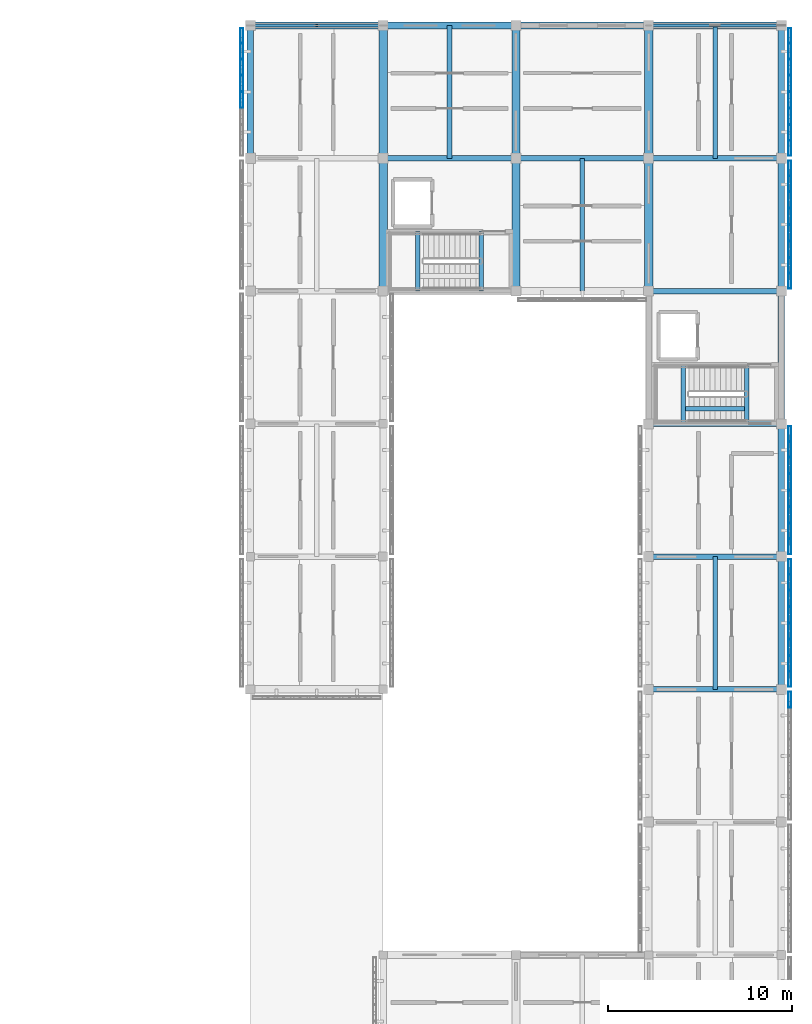
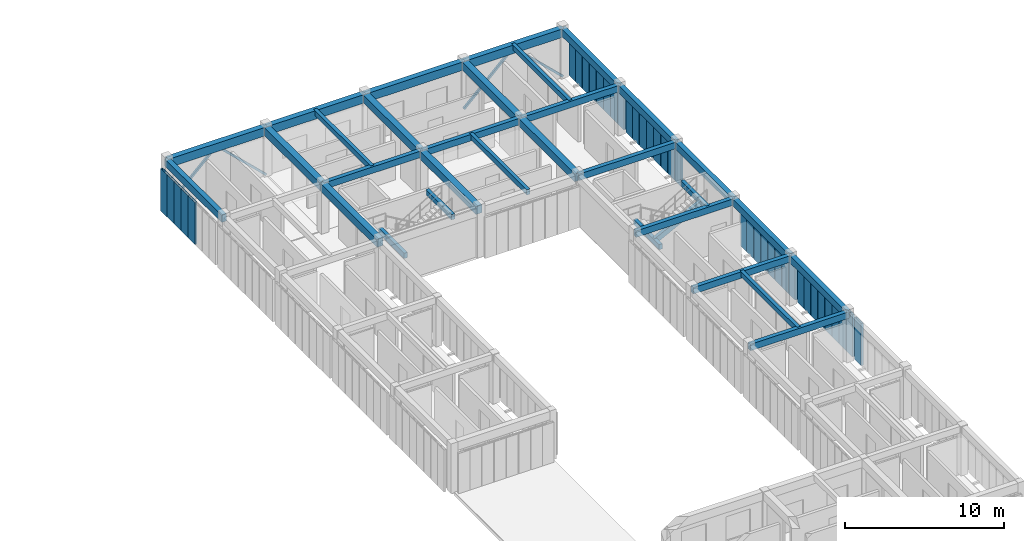
# One storey, part 12 of 67: 42 members, 32 beams, 6 elements without a shape of their own.
"""IFC4 building model written with IfcOpenShell, lengths in metres."""

from ifc_helpers import new_model, si_unit, direction, frame, origin, origin_2d, place, context, subcontext, project, spatial, rectangle, hollow_rectangle, extrude, material, material_profile, profile_set, type_object, element, aggregate, save


model = new_model("IFC4")

# Units and contexts
model_context = context("Model", 3, precision=1e-05, world=origin(), true_north=direction((0.0, 1.0)))
body_context = subcontext(model_context, "Body", "Model", "MODEL_VIEW")
ifc_project = project(units=[si_unit("LENGTHUNIT", "METRE"), si_unit("AREAUNIT", "SQUARE_METRE"), si_unit("VOLUMEUNIT", "CUBIC_METRE"), si_unit("PLANEANGLEUNIT", "RADIAN"), si_unit("MASSUNIT", "GRAM", prefix="KILO")], contexts=[model_context])

# Site, building, storey
site_placement = place(None, origin())
site = spatial("IfcSite", under=ifc_project, at=site_placement, CompositionType="ELEMENT")
building_placement = place(site_placement, origin())
building = spatial("IfcBuilding", under=site, at=building_placement, Name="Aldebral Square Health Centre", CompositionType="ELEMENT")
storey_placement = place(building_placement, frame((0.0, 0.0, 13.5)))
storey = spatial("IfcBuildingStorey", under=building, at=storey_placement, Name="L03", CompositionType="ELEMENT", Elevation=13.5)

# Beams
ifc_material_1 = material(Name="Concrete C40/50", Category="concrete")
ifc_material_profile_1 = material_profile(ifc_material_1, rectangle(XDim=0.39990234375, YDim=0.64990234375, at=origin_2d()), Name="RC 400x650")
ifc_profile_set_1 = profile_set([ifc_material_profile_1], Name="Concrete C40/50")
beam_type_1 = type_object("IfcBeamType", Name="BM-B1", PredefinedType="BEAM", material=ifc_profile_set_1)
for number, where, z_axis, x_axis, name in (
    (1, (136.800048828125, 115.199951171875, 3.465087890625), (1.0, 0.0, 0.0), (0.0, 1.0, 0.0), "L03 X-beam 20-21/G17"),
    (2, (144.0, 115.199951171875, 3.465087890625), (1.0, 0.0, 0.0), (0.0, 1.0, 0.0), "L03 X-beam 21-22/G17"),
    (3, (151.199951171875, 115.199951171875, 3.465087890625), (1.0, 0.0, 0.0), (0.0, 1.0, 0.0), "L03 X-beam 22-23/G17"),
):
    element("IfcBeam", number, at=place(storey_placement, frame(where, z_axis=z_axis, x_axis=x_axis)), inside=storey, type_object=beam_type_1, Name=name, PredefinedType="BEAM", context=body_context, shape_type="SweptSolid", body=[
        extrude(rectangle(XDim=0.39990234375, YDim=0.64990234375, at=origin_2d()), origin(), (0.0, 0.0, 1.0), 7.199951171875),
    ])
beam_1_placement = place(storey_placement, frame((158.39990234375, 115.199951171875, 3.465087890625), z_axis=(1.0, 0.0, 0.0), x_axis=(0.0, 1.0, 0.0)))
element("IfcBeam", 4, at=beam_1_placement, inside=storey, type_object=beam_type_1, Name="L03 X-beam 23-24/G17", PredefinedType="BEAM", context=body_context, shape_type="SweptSolid", body=[
    extrude(rectangle(XDim=0.39990234375, YDim=0.64990234375, at=origin_2d()), origin(), (0.0, 0.0, 1.0), 7.2001953125),
])
ifc_material_profile_2 = material_profile(ifc_material_1, rectangle(XDim=0.35009765625, YDim=0.550048828125, at=origin_2d()), Name="RC 350x550")
ifc_profile_set_2 = profile_set([ifc_material_profile_2], Name="Concrete C40/50")
beam_type_2 = type_object("IfcBeamType", Name="BM-B3", PredefinedType="BEAM", material=ifc_profile_set_2)
for number, where, z_axis, x_axis, name in (
    (5, (136.800048828125, 108.0, 3.514892578125), (0.0, 1.0, 0.0), (-1.0, 0.0, 0.0), "L03 Y-beam G20/16-17"),
    (6, (165.60009765625, 79.199951171875, 3.514892578125), (0.0, 1.0, 0.0), (-1.0, 0.0, 0.0), "L03 Y-beam G24/12-13"),
):
    element("IfcBeam", number, at=place(storey_placement, frame(where, z_axis=z_axis, x_axis=x_axis)), inside=storey, type_object=beam_type_2, Name=name, PredefinedType="BEAM", context=body_context, shape_type="SweptSolid", body=[
        extrude(rectangle(XDim=0.35009765625, YDim=0.550048828125, at=origin_2d()), origin(), (0.0, 0.0, 1.0), 7.199951171875),
    ])
beam_2_placement = place(storey_placement, frame((165.60009765625, 86.39990234375, 3.514892578125), z_axis=(0.0, 1.0, 0.0), x_axis=(-1.0, 0.0, 0.0)))
element("IfcBeam", 7, at=beam_2_placement, inside=storey, type_object=beam_type_2, Name="L03 Y-beam G24/13-14", PredefinedType="BEAM", context=body_context, shape_type="SweptSolid", body=[
    extrude(rectangle(XDim=0.35009765625, YDim=0.550048828125, at=origin_2d()), origin(), (0.0, 0.0, 1.0), 7.2001953125),
])
for number, where, z_axis, x_axis, name in (
    (8, (165.60009765625, 93.60009765625, 3.514892578125), (0.0, 1.0, 0.0), (-1.0, 0.0, 0.0), "L03 Y-beam G24/14-15"),
    (9, (165.60009765625, 100.800048828125, 3.514892578125), (0.0, 1.0, 0.0), (-1.0, 0.0, 0.0), "L03 Y-beam G24/15-16"),
    (10, (165.60009765625, 108.0, 3.514892578125), (0.0, 1.0, 0.0), (-1.0, 0.0, 0.0), "L03 Y-beam G24/16-17"),
):
    element("IfcBeam", number, at=place(storey_placement, frame(where, z_axis=z_axis, x_axis=x_axis)), inside=storey, type_object=beam_type_2, Name=name, PredefinedType="BEAM", context=body_context, shape_type="SweptSolid", body=[
        extrude(rectangle(XDim=0.35009765625, YDim=0.550048828125, at=origin_2d()), origin(), (0.0, 0.0, 1.0), 7.199951171875),
    ])
ifc_material_profile_3 = material_profile(ifc_material_1, rectangle(XDim=0.300048828125, YDim=0.5, at=origin_2d()), Name="RC 300x500")
ifc_profile_set_3 = profile_set([ifc_material_profile_3], Name="Concrete C40/50")
beam_type_3 = type_object("IfcBeamType", Name="BM-B4", PredefinedType="BEAM", material=ifc_profile_set_3)
for number, where, z_axis, x_axis, name in (
    (11, (144.0, 108.0, 3.5400390625), (1.0, 0.0, 0.0), (0.0, 1.0, 0.0), "L03 X-beam 21-22/G16"),
    (12, (151.199951171875, 108.0, 3.5400390625), (1.0, 0.0, 0.0), (0.0, 1.0, 0.0), "L03 X-beam 22-23/G16"),
):
    element("IfcBeam", number, at=place(storey_placement, frame(where, z_axis=z_axis, x_axis=x_axis)), inside=storey, type_object=beam_type_3, Name=name, PredefinedType="BEAM", context=body_context, shape_type="SweptSolid", body=[
        extrude(rectangle(XDim=0.300048828125, YDim=0.5, at=origin_2d()), origin(), (0.0, 0.0, 1.0), 7.199951171875),
    ])
for number, where, z_axis, x_axis, name in (
    (13, (158.39990234375, 79.199951171875, 3.5400390625), (1.0, 0.0, 0.0), (0.0, 1.0, 0.0), "L03 X-beam 23-24/G12"),
    (14, (158.39990234375, 86.39990234375, 3.5400390625), (1.0, 0.0, 0.0), (0.0, 1.0, 0.0), "L03 X-beam 23-24/G13"),
    (15, (158.39990234375, 93.60009765625, 3.5400390625), (1.0, 0.0, 0.0), (0.0, 1.0, 0.0), "L03 X-beam 23-24/G14"),
    (16, (158.39990234375, 100.800048828125, 3.5400390625), (1.0, 0.0, 0.0), (0.0, 1.0, 0.0), "L03 X-beam 23-24/G15"),
    (17, (158.39990234375, 108.0, 3.5400390625), (1.0, 0.0, 0.0), (0.0, 1.0, 0.0), "L03 X-beam 23-24/G16"),
):
    element("IfcBeam", number, at=place(storey_placement, frame(where, z_axis=z_axis, x_axis=x_axis)), inside=storey, type_object=beam_type_3, Name=name, PredefinedType="BEAM", context=body_context, shape_type="SweptSolid", body=[
        extrude(rectangle(XDim=0.300048828125, YDim=0.5, at=origin_2d()), origin(), (0.0, 0.0, 1.0), 7.2001953125),
    ])
ifc_material_profile_4 = material_profile(ifc_material_1, rectangle(XDim=0.25, YDim=0.39990234375, at=origin_2d()), Name="RC 250x400")
ifc_profile_set_4 = profile_set([ifc_material_profile_4], Name="Concrete C40/50")
beam_type_4 = type_object("IfcBeamType", Name="BM-B6", PredefinedType="JOIST", material=ifc_profile_set_4)
for number, where, z_axis, x_axis, name in (
    (18, (147.60009765625, 108.0, 3.590087890625), (0.0, 1.0, 0.0), (-1.0, 0.0, 0.0), "L03 secondary rib 21.16"),
    (19, (154.800048828125, 100.800048828125, 3.590087890625), (0.0, 1.0, 0.0), (-1.0, 0.0, 0.0), "L03 secondary rib 22.15"),
    (20, (162.0, 79.199951171875, 3.590087890625), (0.0, 1.0, 0.0), (-1.0, 0.0, 0.0), "L03 secondary rib 23.12"),
    (21, (162.0, 108.0, 3.590087890625), (0.0, 1.0, 0.0), (-1.0, 0.0, 0.0), "L03 secondary rib 23.16"),
):
    element("IfcBeam", number, at=place(storey_placement, frame(where, z_axis=z_axis, x_axis=x_axis)), inside=storey, type_object=beam_type_4, Name=name, PredefinedType="JOIST", context=body_context, shape_type="SweptSolid", body=[
        extrude(rectangle(XDim=0.25, YDim=0.39990234375, at=origin_2d()), origin(), (0.0, 0.0, 1.0), 7.199951171875),
    ])
for number, where, z_axis, x_axis, name in (
    (22, (160.280029296875, 93.610107421875, 1.824951171875), (0.0, 1.0, 0.0), (-1.0, 0.0, 0.0), "L03 WC-C3 half-landing beam"),
    (23, (163.719970703125, 93.610107421875, 3.590087890625), (0.0, 1.0, 0.0), (-1.0, 0.0, 0.0), "L03 WC-C3 upper landing beam"),
):
    element("IfcBeam", number, at=place(storey_placement, frame(where, z_axis=z_axis, x_axis=x_axis)), inside=storey, type_object=beam_type_4, Name=name, PredefinedType="JOIST", context=body_context, shape_type="SweptSolid", body=[
        extrude(rectangle(XDim=0.25, YDim=0.39990234375, at=origin_2d()), origin(), (0.0, 0.0, 1.0), 3.219970703125),
    ])
beam_3_placement = place(storey_placement, frame((160.280029296875, 94.419921875, 1.824951171875), z_axis=(0.889705675989, 0.0, 0.456534566175), x_axis=(0.0, 1.0, 0.0)))
element("IfcBeam", 24, at=beam_3_placement, inside=storey, type_object=beam_type_4, Name="L03 WC-C3 flight stringer beam", PredefinedType="JOIST", context=body_context, shape_type="SweptSolid", body=[
    extrude(rectangle(XDim=0.25, YDim=0.39990234375, at=origin_2d()), origin(), (0.0, 0.0, 1.0), 3.866455078125),
])
for number, where, z_axis, x_axis, name in (
    (25, (145.8798828125, 100.81005859375, 1.824951171875), (0.0, 1.0, 0.0), (-1.0, 0.0, 0.0), "L03 WC-C4 half-landing beam"),
    (26, (149.320068359375, 100.81005859375, 3.590087890625), (0.0, 1.0, 0.0), (-1.0, 0.0, 0.0), "L03 WC-C4 upper landing beam"),
):
    element("IfcBeam", number, at=place(storey_placement, frame(where, z_axis=z_axis, x_axis=x_axis)), inside=storey, type_object=beam_type_4, Name=name, PredefinedType="JOIST", context=body_context, shape_type="SweptSolid", body=[
        extrude(rectangle(XDim=0.25, YDim=0.39990234375, at=origin_2d()), origin(), (0.0, 0.0, 1.0), 3.219970703125),
    ])
ifc_material_profile_5 = material_profile(ifc_material_1, rectangle(XDim=0.449951171875, YDim=0.60009765625, at=origin_2d()), Name="RC 450x600")
ifc_profile_set_5 = profile_set([ifc_material_profile_5], Name="Concrete C40/50")
beam_type_5 = type_object("IfcBeamType", Name="BM-LN1", PredefinedType="LINTEL", material=ifc_profile_set_5)
for number, where, z_axis, x_axis, name in (
    (27, (144.0, 100.800048828125, 3.489990234375), (0.0, 1.0, 0.0), (-1.0, 0.0, 0.0), "L03 Y-beam G21/15-16"),
    (28, (144.0, 108.0, 3.489990234375), (0.0, 1.0, 0.0), (-1.0, 0.0, 0.0), "L03 Y-beam G21/16-17"),
    (29, (151.199951171875, 100.800048828125, 3.489990234375), (0.0, 1.0, 0.0), (-1.0, 0.0, 0.0), "L03 Y-beam G22/15-16"),
    (30, (151.199951171875, 108.0, 3.489990234375), (0.0, 1.0, 0.0), (-1.0, 0.0, 0.0), "L03 Y-beam G22/16-17"),
    (31, (158.39990234375, 100.800048828125, 3.489990234375), (0.0, 1.0, 0.0), (-1.0, 0.0, 0.0), "L03 Y-beam G23/15-16"),
    (32, (158.39990234375, 108.0, 3.489990234375), (0.0, 1.0, 0.0), (-1.0, 0.0, 0.0), "L03 Y-beam G23/16-17"),
):
    element("IfcBeam", number, at=place(storey_placement, frame(where, z_axis=z_axis, x_axis=x_axis)), inside=storey, type_object=beam_type_5, Name=name, PredefinedType="LINTEL", context=body_context, shape_type="SweptSolid", body=[
        extrude(rectangle(XDim=0.449951171875, YDim=0.60009765625, at=origin_2d()), origin(), (0.0, 0.0, 1.0), 7.199951171875),
    ])

# Curtain wall, members
ifc_material_2 = material(Name="Aluminium and low-E solar glass", Category="aluminium")
curtain_wall_type = type_object("IfcCurtainWallType", Name="CW-FIN-SYS", PredefinedType="USERDEFINED", material=ifc_material_2)
curtain_wall_1_placement = place(storey_placement, origin())
curtain_wall_1 = element("IfcCurtainWall", 33, at=curtain_wall_1_placement, inside=storey, type_object=curtain_wall_type, Name="L03 V5 finned curtain wall L03-V5-19-15-W", ObjectType="SOLAR_CURTAIN_WALL", PredefinedType="USERDEFINED")
ifc_material_3 = material(Name="Sienna-terracotta clad aluminium fin", Category="masonry")
ifc_material_profile_6 = material_profile(ifc_material_3, hollow_rectangle(XDim=0.159912109375, YDim=0.85009765625, WallThickness=0.006103515625, at=origin_2d()), Name="FIN 160x850x6")
ifc_profile_set_6 = profile_set([ifc_material_profile_6], Name="Sienna-terracotta clad aluminium fin")
member_type_1 = type_object("IfcMemberType", Name="CWM-FIN", PredefinedType="MULLION", material=ifc_profile_set_6)
member_1_placement = place(storey_placement, frame((136.340087890625, 114.639892578125, 0.0), z_axis=(0.0, 0.0, 1.0), x_axis=(1.0, 0.0, 0.0)))
member_1 = element("IfcMember", 34, at=member_1_placement, type_object=member_type_1, Name="CW1 mullion 1", PredefinedType="MULLION", context=body_context, shape_type="SweptSolid", body=[
    extrude(hollow_rectangle(XDim=0.159912109375, YDim=0.85009765625, WallThickness=0.006103515625, at=origin_2d()), origin(), (0.0, 0.0, 1.0), 3.239990234375),
])
member_2_placement = place(storey_placement, frame((136.340087890625, 113.82861328125, 0.0), z_axis=(0.0, 0.0, 1.0), x_axis=(1.0, 0.0, 0.0)))
member_2 = element("IfcMember", 35, at=member_2_placement, type_object=member_type_1, Name="CW1 mullion 2", PredefinedType="MULLION", context=body_context, shape_type="SweptSolid", body=[
    extrude(hollow_rectangle(XDim=0.159912109375, YDim=0.85009765625, WallThickness=0.006103515625, at=origin_2d()), origin(), (0.0, 0.0, 1.0), 3.239990234375),
])
member_3_placement = place(storey_placement, frame((136.340087890625, 112.937255859375, 0.0), z_axis=(0.0, 0.0, 1.0), x_axis=(1.0, 0.0, 0.0)))
member_3 = element("IfcMember", 36, at=member_3_placement, type_object=member_type_1, Name="CW1 mullion 3", PredefinedType="MULLION", context=body_context, shape_type="SweptSolid", body=[
    extrude(hollow_rectangle(XDim=0.159912109375, YDim=0.85009765625, WallThickness=0.006103515625, at=origin_2d()), origin(), (0.0, 0.0, 1.0), 3.239990234375),
])
member_4_placement = place(storey_placement, frame((136.340087890625, 112.045654296875, 0.0), z_axis=(0.0, 0.0, 1.0), x_axis=(1.0, 0.0, 0.0)))
member_4 = element("IfcMember", 37, at=member_4_placement, type_object=member_type_1, Name="CW1 mullion 4", PredefinedType="MULLION", context=body_context, shape_type="SweptSolid", body=[
    extrude(hollow_rectangle(XDim=0.159912109375, YDim=0.85009765625, WallThickness=0.006103515625, at=origin_2d()), origin(), (0.0, 0.0, 1.0), 3.239990234375),
])
member_5_placement = place(storey_placement, frame((136.340087890625, 111.154296875, 0.0), z_axis=(0.0, 0.0, 1.0), x_axis=(1.0, 0.0, 0.0)))
member_5 = element("IfcMember", 38, at=member_5_placement, type_object=member_type_1, Name="CW1 mullion 5", PredefinedType="MULLION", context=body_context, shape_type="SweptSolid", body=[
    extrude(hollow_rectangle(XDim=0.159912109375, YDim=0.85009765625, WallThickness=0.006103515625, at=origin_2d()), origin(), (0.0, 0.0, 1.0), 3.239990234375),
])
aggregate(curtain_wall_1, [member_1, member_2, member_3, member_4, member_5])

# Curtain wall, member
curtain_wall_2_placement = place(storey_placement, origin())
curtain_wall_2 = element("IfcCurtainWall", 39, at=curtain_wall_2_placement, inside=storey, type_object=curtain_wall_type, Name="L03 V5 finned curtain wall L03-V5-22-10-E", ObjectType="SOLAR_CURTAIN_WALL", PredefinedType="USERDEFINED")
member_6_placement = place(storey_placement, frame((166.06005859375, 78.639892578125, 0.0), z_axis=(0.0, 0.0, 1.0), x_axis=(-1.0, 0.0, 0.0)))
member_6 = element("IfcMember", 40, at=member_6_placement, type_object=member_type_1, Name="CW1 mullion 8", PredefinedType="MULLION", context=body_context, shape_type="SweptSolid", body=[
    extrude(hollow_rectangle(XDim=0.159912109375, YDim=0.85009765625, WallThickness=0.006103515625, at=origin_2d()), origin(), (0.0, 0.0, 1.0), 3.239990234375),
])
aggregate(curtain_wall_2, [member_6])

# Curtain wall, members
curtain_wall_3_placement = place(storey_placement, origin())
curtain_wall_3 = element("IfcCurtainWall", 41, at=curtain_wall_3_placement, inside=storey, type_object=curtain_wall_type, Name="L03 V5 finned curtain wall L03-V5-22-11-E", ObjectType="SOLAR_CURTAIN_WALL", PredefinedType="USERDEFINED")
member_7_placement = place(storey_placement, frame((166.06005859375, 79.760009765625, 0.0), z_axis=(0.0, 0.0, 1.0), x_axis=(-1.0, 0.0, 0.0)))
member_7 = element("IfcMember", 42, at=member_7_placement, type_object=member_type_1, Name="CW1 mullion 1", PredefinedType="MULLION", context=body_context, shape_type="SweptSolid", body=[
    extrude(hollow_rectangle(XDim=0.159912109375, YDim=0.85009765625, WallThickness=0.006103515625, at=origin_2d()), origin(), (0.0, 0.0, 1.0), 3.239990234375),
])
member_8_placement = place(storey_placement, frame((166.06005859375, 80.571533203125, 0.0), z_axis=(0.0, 0.0, 1.0), x_axis=(-1.0, 0.0, 0.0)))
member_8 = element("IfcMember", 43, at=member_8_placement, type_object=member_type_1, Name="CW1 mullion 2", PredefinedType="MULLION", context=body_context, shape_type="SweptSolid", body=[
    extrude(hollow_rectangle(XDim=0.159912109375, YDim=0.85009765625, WallThickness=0.006103515625, at=origin_2d()), origin(), (0.0, 0.0, 1.0), 3.239990234375),
])
member_9_placement = place(storey_placement, frame((166.06005859375, 81.462890625, 0.0), z_axis=(0.0, 0.0, 1.0), x_axis=(-1.0, 0.0, 0.0)))
member_9 = element("IfcMember", 44, at=member_9_placement, type_object=member_type_1, Name="CW1 mullion 3", PredefinedType="MULLION", context=body_context, shape_type="SweptSolid", body=[
    extrude(hollow_rectangle(XDim=0.159912109375, YDim=0.85009765625, WallThickness=0.006103515625, at=origin_2d()), origin(), (0.0, 0.0, 1.0), 3.239990234375),
])
member_10_placement = place(storey_placement, frame((166.06005859375, 82.354248046875, 0.0), z_axis=(0.0, 0.0, 1.0), x_axis=(-1.0, 0.0, 0.0)))
member_10 = element("IfcMember", 45, at=member_10_placement, type_object=member_type_1, Name="CW1 mullion 4", PredefinedType="MULLION", context=body_context, shape_type="SweptSolid", body=[
    extrude(hollow_rectangle(XDim=0.159912109375, YDim=0.85009765625, WallThickness=0.006103515625, at=origin_2d()), origin(), (0.0, 0.0, 1.0), 3.239990234375),
])
member_11_placement = place(storey_placement, frame((166.06005859375, 83.24560546875, 0.0), z_axis=(0.0, 0.0, 1.0), x_axis=(-1.0, 0.0, 0.0)))
member_11 = element("IfcMember", 46, at=member_11_placement, type_object=member_type_1, Name="CW1 mullion 5", PredefinedType="MULLION", context=body_context, shape_type="SweptSolid", body=[
    extrude(hollow_rectangle(XDim=0.159912109375, YDim=0.85009765625, WallThickness=0.006103515625, at=origin_2d()), origin(), (0.0, 0.0, 1.0), 3.239990234375),
])
member_12_placement = place(storey_placement, frame((166.06005859375, 84.13720703125, 0.0), z_axis=(0.0, 0.0, 1.0), x_axis=(-1.0, 0.0, 0.0)))
member_12 = element("IfcMember", 47, at=member_12_placement, type_object=member_type_1, Name="CW1 mullion 6", PredefinedType="MULLION", context=body_context, shape_type="SweptSolid", body=[
    extrude(hollow_rectangle(XDim=0.159912109375, YDim=0.85009765625, WallThickness=0.006103515625, at=origin_2d()), origin(), (0.0, 0.0, 1.0), 3.239990234375),
])
member_13_placement = place(storey_placement, frame((166.06005859375, 85.028564453125, 0.0), z_axis=(0.0, 0.0, 1.0), x_axis=(-1.0, 0.0, 0.0)))
member_13 = element("IfcMember", 48, at=member_13_placement, type_object=member_type_1, Name="CW1 mullion 7", PredefinedType="MULLION", context=body_context, shape_type="SweptSolid", body=[
    extrude(hollow_rectangle(XDim=0.159912109375, YDim=0.85009765625, WallThickness=0.006103515625, at=origin_2d()), origin(), (0.0, 0.0, 1.0), 3.239990234375),
])
member_14_placement = place(storey_placement, frame((166.06005859375, 85.840087890625, 0.0), z_axis=(0.0, 0.0, 1.0), x_axis=(-1.0, 0.0, 0.0)))
member_14 = element("IfcMember", 49, at=member_14_placement, type_object=member_type_1, Name="CW1 mullion 8", PredefinedType="MULLION", context=body_context, shape_type="SweptSolid", body=[
    extrude(hollow_rectangle(XDim=0.159912109375, YDim=0.85009765625, WallThickness=0.006103515625, at=origin_2d()), origin(), (0.0, 0.0, 1.0), 3.239990234375),
])
aggregate(curtain_wall_3, [member_7, member_8, member_9, member_10, member_11, member_12, member_13, member_14])

curtain_wall_4_placement = place(storey_placement, origin())
curtain_wall_4 = element("IfcCurtainWall", 50, at=curtain_wall_4_placement, inside=storey, type_object=curtain_wall_type, Name="L03 V5 finned curtain wall L03-V5-22-12-E", ObjectType="SOLAR_CURTAIN_WALL", PredefinedType="USERDEFINED")
member_15_placement = place(storey_placement, frame((166.06005859375, 86.9599609375, 0.0), z_axis=(0.0, 0.0, 1.0), x_axis=(-1.0, 0.0, 0.0)))
member_15 = element("IfcMember", 51, at=member_15_placement, type_object=member_type_1, Name="CW1 mullion 1", PredefinedType="MULLION", context=body_context, shape_type="SweptSolid", body=[
    extrude(hollow_rectangle(XDim=0.159912109375, YDim=0.85009765625, WallThickness=0.006103515625, at=origin_2d()), origin(), (0.0, 0.0, 1.0), 3.239990234375),
])
member_16_placement = place(storey_placement, frame((166.06005859375, 87.771484375, 0.0), z_axis=(0.0, 0.0, 1.0), x_axis=(-1.0, 0.0, 0.0)))
member_16 = element("IfcMember", 52, at=member_16_placement, type_object=member_type_1, Name="CW1 mullion 2", PredefinedType="MULLION", context=body_context, shape_type="SweptSolid", body=[
    extrude(hollow_rectangle(XDim=0.159912109375, YDim=0.85009765625, WallThickness=0.006103515625, at=origin_2d()), origin(), (0.0, 0.0, 1.0), 3.239990234375),
])
member_17_placement = place(storey_placement, frame((166.06005859375, 88.662841796875, 0.0), z_axis=(0.0, 0.0, 1.0), x_axis=(-1.0, 0.0, 0.0)))
member_17 = element("IfcMember", 53, at=member_17_placement, type_object=member_type_1, Name="CW1 mullion 3", PredefinedType="MULLION", context=body_context, shape_type="SweptSolid", body=[
    extrude(hollow_rectangle(XDim=0.159912109375, YDim=0.85009765625, WallThickness=0.006103515625, at=origin_2d()), origin(), (0.0, 0.0, 1.0), 3.239990234375),
])
member_18_placement = place(storey_placement, frame((166.06005859375, 89.55419921875, 0.0), z_axis=(0.0, 0.0, 1.0), x_axis=(-1.0, 0.0, 0.0)))
member_18 = element("IfcMember", 54, at=member_18_placement, type_object=member_type_1, Name="CW1 mullion 4", PredefinedType="MULLION", context=body_context, shape_type="SweptSolid", body=[
    extrude(hollow_rectangle(XDim=0.159912109375, YDim=0.85009765625, WallThickness=0.006103515625, at=origin_2d()), origin(), (0.0, 0.0, 1.0), 3.239990234375),
])
member_19_placement = place(storey_placement, frame((166.06005859375, 90.44580078125, 0.0), z_axis=(0.0, 0.0, 1.0), x_axis=(-1.0, 0.0, 0.0)))
member_19 = element("IfcMember", 55, at=member_19_placement, type_object=member_type_1, Name="CW1 mullion 5", PredefinedType="MULLION", context=body_context, shape_type="SweptSolid", body=[
    extrude(hollow_rectangle(XDim=0.159912109375, YDim=0.85009765625, WallThickness=0.006103515625, at=origin_2d()), origin(), (0.0, 0.0, 1.0), 3.239990234375),
])
member_20_placement = place(storey_placement, frame((166.06005859375, 91.337158203125, 0.0), z_axis=(0.0, 0.0, 1.0), x_axis=(-1.0, 0.0, 0.0)))
member_20 = element("IfcMember", 56, at=member_20_placement, type_object=member_type_1, Name="CW1 mullion 6", PredefinedType="MULLION", context=body_context, shape_type="SweptSolid", body=[
    extrude(hollow_rectangle(XDim=0.159912109375, YDim=0.85009765625, WallThickness=0.006103515625, at=origin_2d()), origin(), (0.0, 0.0, 1.0), 3.239990234375),
])
member_21_placement = place(storey_placement, frame((166.06005859375, 92.228515625, 0.0), z_axis=(0.0, 0.0, 1.0), x_axis=(-1.0, 0.0, 0.0)))
member_21 = element("IfcMember", 57, at=member_21_placement, type_object=member_type_1, Name="CW1 mullion 7", PredefinedType="MULLION", context=body_context, shape_type="SweptSolid", body=[
    extrude(hollow_rectangle(XDim=0.159912109375, YDim=0.85009765625, WallThickness=0.006103515625, at=origin_2d()), origin(), (0.0, 0.0, 1.0), 3.239990234375),
])
member_22_placement = place(storey_placement, frame((166.06005859375, 93.0400390625, 0.0), z_axis=(0.0, 0.0, 1.0), x_axis=(-1.0, 0.0, 0.0)))
member_22 = element("IfcMember", 58, at=member_22_placement, type_object=member_type_1, Name="CW1 mullion 8", PredefinedType="MULLION", context=body_context, shape_type="SweptSolid", body=[
    extrude(hollow_rectangle(XDim=0.159912109375, YDim=0.85009765625, WallThickness=0.006103515625, at=origin_2d()), origin(), (0.0, 0.0, 1.0), 3.239990234375),
])
aggregate(curtain_wall_4, [member_15, member_16, member_17, member_18, member_19, member_20, member_21, member_22])

curtain_wall_5_placement = place(storey_placement, origin())
curtain_wall_5 = element("IfcCurtainWall", 59, at=curtain_wall_5_placement, inside=storey, type_object=curtain_wall_type, Name="L03 V5 finned curtain wall L03-V5-22-14-E", ObjectType="SOLAR_CURTAIN_WALL", PredefinedType="USERDEFINED")
member_23_placement = place(storey_placement, frame((166.06005859375, 101.360107421875, 0.0), z_axis=(0.0, 0.0, 1.0), x_axis=(-1.0, 0.0, 0.0)))
member_23 = element("IfcMember", 60, at=member_23_placement, type_object=member_type_1, Name="CW1 mullion 1", PredefinedType="MULLION", context=body_context, shape_type="SweptSolid", body=[
    extrude(hollow_rectangle(XDim=0.159912109375, YDim=0.85009765625, WallThickness=0.006103515625, at=origin_2d()), origin(), (0.0, 0.0, 1.0), 3.239990234375),
])
member_24_placement = place(storey_placement, frame((166.06005859375, 102.17138671875, 0.0), z_axis=(0.0, 0.0, 1.0), x_axis=(-1.0, 0.0, 0.0)))
member_24 = element("IfcMember", 61, at=member_24_placement, type_object=member_type_1, Name="CW1 mullion 2", PredefinedType="MULLION", context=body_context, shape_type="SweptSolid", body=[
    extrude(hollow_rectangle(XDim=0.159912109375, YDim=0.85009765625, WallThickness=0.006103515625, at=origin_2d()), origin(), (0.0, 0.0, 1.0), 3.239990234375),
])
member_25_placement = place(storey_placement, frame((166.06005859375, 103.062744140625, 0.0), z_axis=(0.0, 0.0, 1.0), x_axis=(-1.0, 0.0, 0.0)))
member_25 = element("IfcMember", 62, at=member_25_placement, type_object=member_type_1, Name="CW1 mullion 3", PredefinedType="MULLION", context=body_context, shape_type="SweptSolid", body=[
    extrude(hollow_rectangle(XDim=0.159912109375, YDim=0.85009765625, WallThickness=0.006103515625, at=origin_2d()), origin(), (0.0, 0.0, 1.0), 3.239990234375),
])
member_26_placement = place(storey_placement, frame((166.06005859375, 103.954345703125, 0.0), z_axis=(0.0, 0.0, 1.0), x_axis=(-1.0, 0.0, 0.0)))
member_26 = element("IfcMember", 63, at=member_26_placement, type_object=member_type_1, Name="CW1 mullion 4", PredefinedType="MULLION", context=body_context, shape_type="SweptSolid", body=[
    extrude(hollow_rectangle(XDim=0.159912109375, YDim=0.85009765625, WallThickness=0.006103515625, at=origin_2d()), origin(), (0.0, 0.0, 1.0), 3.239990234375),
])
member_27_placement = place(storey_placement, frame((166.06005859375, 104.845703125, 0.0), z_axis=(0.0, 0.0, 1.0), x_axis=(-1.0, 0.0, 0.0)))
member_27 = element("IfcMember", 64, at=member_27_placement, type_object=member_type_1, Name="CW1 mullion 5", PredefinedType="MULLION", context=body_context, shape_type="SweptSolid", body=[
    extrude(hollow_rectangle(XDim=0.159912109375, YDim=0.85009765625, WallThickness=0.006103515625, at=origin_2d()), origin(), (0.0, 0.0, 1.0), 3.239990234375),
])
member_28_placement = place(storey_placement, frame((166.06005859375, 105.737060546875, 0.0), z_axis=(0.0, 0.0, 1.0), x_axis=(-1.0, 0.0, 0.0)))
member_28 = element("IfcMember", 65, at=member_28_placement, type_object=member_type_1, Name="CW1 mullion 6", PredefinedType="MULLION", context=body_context, shape_type="SweptSolid", body=[
    extrude(hollow_rectangle(XDim=0.159912109375, YDim=0.85009765625, WallThickness=0.006103515625, at=origin_2d()), origin(), (0.0, 0.0, 1.0), 3.239990234375),
])
member_29_placement = place(storey_placement, frame((166.06005859375, 106.628662109375, 0.0), z_axis=(0.0, 0.0, 1.0), x_axis=(-1.0, 0.0, 0.0)))
member_29 = element("IfcMember", 66, at=member_29_placement, type_object=member_type_1, Name="CW1 mullion 7", PredefinedType="MULLION", context=body_context, shape_type="SweptSolid", body=[
    extrude(hollow_rectangle(XDim=0.159912109375, YDim=0.85009765625, WallThickness=0.006103515625, at=origin_2d()), origin(), (0.0, 0.0, 1.0), 3.239990234375),
])
member_30_placement = place(storey_placement, frame((166.06005859375, 107.43994140625, 0.0), z_axis=(0.0, 0.0, 1.0), x_axis=(-1.0, 0.0, 0.0)))
member_30 = element("IfcMember", 67, at=member_30_placement, type_object=member_type_1, Name="CW1 mullion 8", PredefinedType="MULLION", context=body_context, shape_type="SweptSolid", body=[
    extrude(hollow_rectangle(XDim=0.159912109375, YDim=0.85009765625, WallThickness=0.006103515625, at=origin_2d()), origin(), (0.0, 0.0, 1.0), 3.239990234375),
])
aggregate(curtain_wall_5, [member_23, member_24, member_25, member_26, member_27, member_28, member_29, member_30])

curtain_wall_6_placement = place(storey_placement, origin())
curtain_wall_6 = element("IfcCurtainWall", 68, at=curtain_wall_6_placement, inside=storey, type_object=curtain_wall_type, Name="L03 V5 finned curtain wall L03-V5-22-15-E", ObjectType="SOLAR_CURTAIN_WALL", PredefinedType="USERDEFINED")
member_31_placement = place(storey_placement, frame((166.06005859375, 108.56005859375, 0.0), z_axis=(0.0, 0.0, 1.0), x_axis=(-1.0, 0.0, 0.0)))
member_31 = element("IfcMember", 69, at=member_31_placement, type_object=member_type_1, Name="CW1 mullion 1", PredefinedType="MULLION", context=body_context, shape_type="SweptSolid", body=[
    extrude(hollow_rectangle(XDim=0.159912109375, YDim=0.85009765625, WallThickness=0.006103515625, at=origin_2d()), origin(), (0.0, 0.0, 1.0), 3.239990234375),
])
member_32_placement = place(storey_placement, frame((166.06005859375, 109.371337890625, 0.0), z_axis=(0.0, 0.0, 1.0), x_axis=(-1.0, 0.0, 0.0)))
member_32 = element("IfcMember", 70, at=member_32_placement, type_object=member_type_1, Name="CW1 mullion 2", PredefinedType="MULLION", context=body_context, shape_type="SweptSolid", body=[
    extrude(hollow_rectangle(XDim=0.159912109375, YDim=0.85009765625, WallThickness=0.006103515625, at=origin_2d()), origin(), (0.0, 0.0, 1.0), 3.239990234375),
])
member_33_placement = place(storey_placement, frame((166.06005859375, 110.262939453125, 0.0), z_axis=(0.0, 0.0, 1.0), x_axis=(-1.0, 0.0, 0.0)))
member_33 = element("IfcMember", 71, at=member_33_placement, type_object=member_type_1, Name="CW1 mullion 3", PredefinedType="MULLION", context=body_context, shape_type="SweptSolid", body=[
    extrude(hollow_rectangle(XDim=0.159912109375, YDim=0.85009765625, WallThickness=0.006103515625, at=origin_2d()), origin(), (0.0, 0.0, 1.0), 3.239990234375),
])
member_34_placement = place(storey_placement, frame((166.06005859375, 111.154296875, 0.0), z_axis=(0.0, 0.0, 1.0), x_axis=(-1.0, 0.0, 0.0)))
member_34 = element("IfcMember", 72, at=member_34_placement, type_object=member_type_1, Name="CW1 mullion 4", PredefinedType="MULLION", context=body_context, shape_type="SweptSolid", body=[
    extrude(hollow_rectangle(XDim=0.159912109375, YDim=0.85009765625, WallThickness=0.006103515625, at=origin_2d()), origin(), (0.0, 0.0, 1.0), 3.239990234375),
])
member_35_placement = place(storey_placement, frame((166.06005859375, 112.045654296875, 0.0), z_axis=(0.0, 0.0, 1.0), x_axis=(-1.0, 0.0, 0.0)))
member_35 = element("IfcMember", 73, at=member_35_placement, type_object=member_type_1, Name="CW1 mullion 5", PredefinedType="MULLION", context=body_context, shape_type="SweptSolid", body=[
    extrude(hollow_rectangle(XDim=0.159912109375, YDim=0.85009765625, WallThickness=0.006103515625, at=origin_2d()), origin(), (0.0, 0.0, 1.0), 3.239990234375),
])
member_36_placement = place(storey_placement, frame((166.06005859375, 112.937255859375, 0.0), z_axis=(0.0, 0.0, 1.0), x_axis=(-1.0, 0.0, 0.0)))
member_36 = element("IfcMember", 74, at=member_36_placement, type_object=member_type_1, Name="CW1 mullion 6", PredefinedType="MULLION", context=body_context, shape_type="SweptSolid", body=[
    extrude(hollow_rectangle(XDim=0.159912109375, YDim=0.85009765625, WallThickness=0.006103515625, at=origin_2d()), origin(), (0.0, 0.0, 1.0), 3.239990234375),
])
member_37_placement = place(storey_placement, frame((166.06005859375, 113.82861328125, 0.0), z_axis=(0.0, 0.0, 1.0), x_axis=(-1.0, 0.0, 0.0)))
member_37 = element("IfcMember", 75, at=member_37_placement, type_object=member_type_1, Name="CW1 mullion 7", PredefinedType="MULLION", context=body_context, shape_type="SweptSolid", body=[
    extrude(hollow_rectangle(XDim=0.159912109375, YDim=0.85009765625, WallThickness=0.006103515625, at=origin_2d()), origin(), (0.0, 0.0, 1.0), 3.239990234375),
])
member_38_placement = place(storey_placement, frame((166.06005859375, 114.639892578125, 0.0), z_axis=(0.0, 0.0, 1.0), x_axis=(-1.0, 0.0, 0.0)))
member_38 = element("IfcMember", 76, at=member_38_placement, type_object=member_type_1, Name="CW1 mullion 8", PredefinedType="MULLION", context=body_context, shape_type="SweptSolid", body=[
    extrude(hollow_rectangle(XDim=0.159912109375, YDim=0.85009765625, WallThickness=0.006103515625, at=origin_2d()), origin(), (0.0, 0.0, 1.0), 3.239990234375),
])
aggregate(curtain_wall_6, [member_31, member_32, member_33, member_34, member_35, member_36, member_37, member_38])

# Members
ifc_material_4 = material(Name="Steel S355JR", Category="steel")
ifc_material_profile_7 = material_profile(ifc_material_4, hollow_rectangle(XDim=0.14990234375, YDim=0.14990234375, WallThickness=0.008056640625, at=origin_2d()), Name="150x150x8 SHS")
ifc_profile_set_7 = profile_set([ifc_material_profile_7], Name="Steel S355JR")
member_type_2 = type_object("IfcMemberType", Name="MEM-BR2", PredefinedType="BRACE", material=ifc_profile_set_7)
member_39_placement = place(storey_placement, frame((136.800048828125, 115.199951171875, 0.0), z_axis=(0.720463965822, 0.0, 0.693492374833), x_axis=(0.0, 1.0, 0.0)))
element("IfcMember", 77, at=member_39_placement, inside=storey, type_object=member_type_2, Name="L03 exterior north chevron brace L 20", PredefinedType="BRACE", context=body_context, shape_type="SweptSolid", body=[
    extrude(hollow_rectangle(XDim=0.14990234375, YDim=0.14990234375, WallThickness=0.008056640625, at=origin_2d()), origin(), (0.0, 0.0, 1.0), 4.99658203125),
])
for number, where, z_axis, x_axis, name in (
    (78, (144.0, 115.199951171875, 0.0), (-0.720487463662, 0.0, 0.693467962278), (0.0, -1.0, 0.0), "L03 exterior north chevron brace R 20"),
    (79, (158.39990234375, 115.199951171875, 0.0), (0.720487463662, 0.0, 0.693467962278), (0.0, 1.0, 0.0), "L03 exterior north chevron brace L 23"),
    (80, (165.60009765625, 115.199951171875, 0.0), (-0.720487463662, 0.0, 0.693467962278), (0.0, -1.0, 0.0), "L03 exterior north chevron brace R 23"),
):
    element("IfcMember", number, at=place(storey_placement, frame(where, z_axis=z_axis, x_axis=x_axis)), inside=storey, type_object=member_type_2, Name=name, PredefinedType="BRACE", context=body_context, shape_type="SweptSolid", body=[
        extrude(hollow_rectangle(XDim=0.14990234375, YDim=0.14990234375, WallThickness=0.008056640625, at=origin_2d()), origin(), (0.0, 0.0, 1.0), 4.996826171875),
    ])

save(model, "model.ifc")
